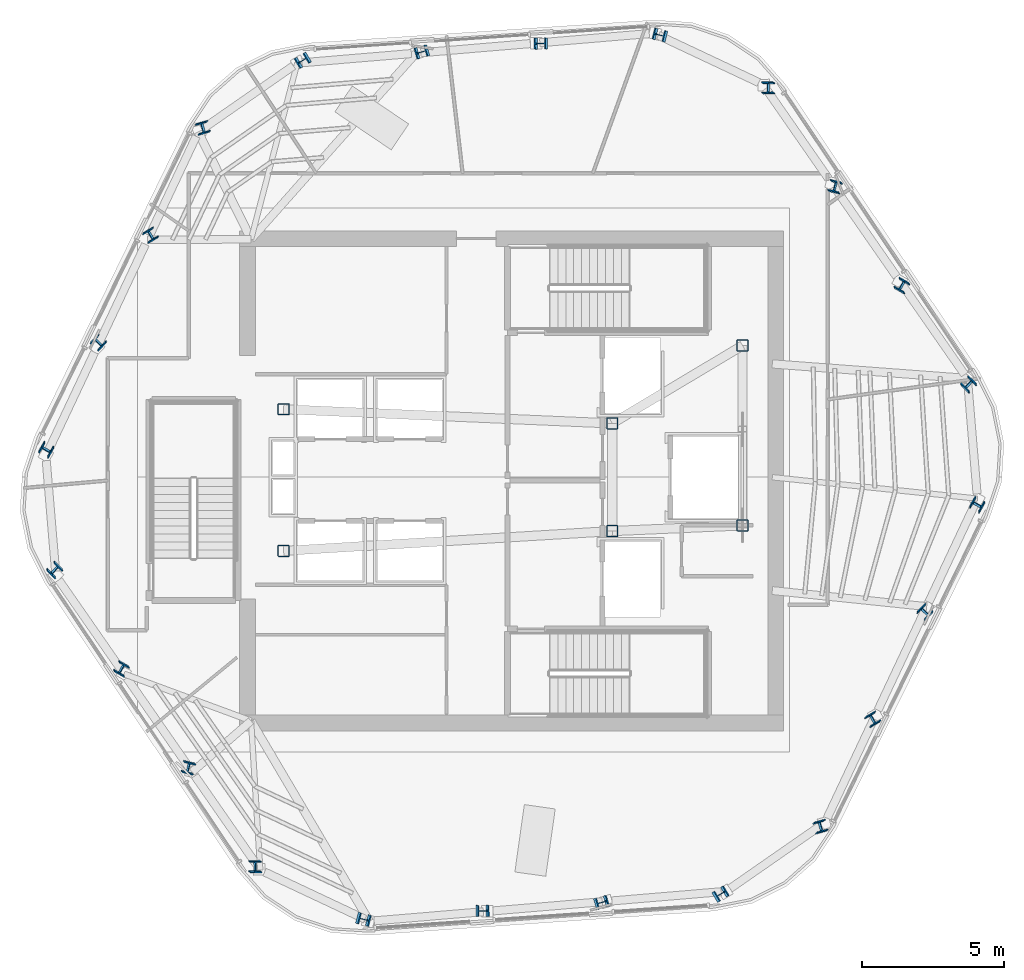
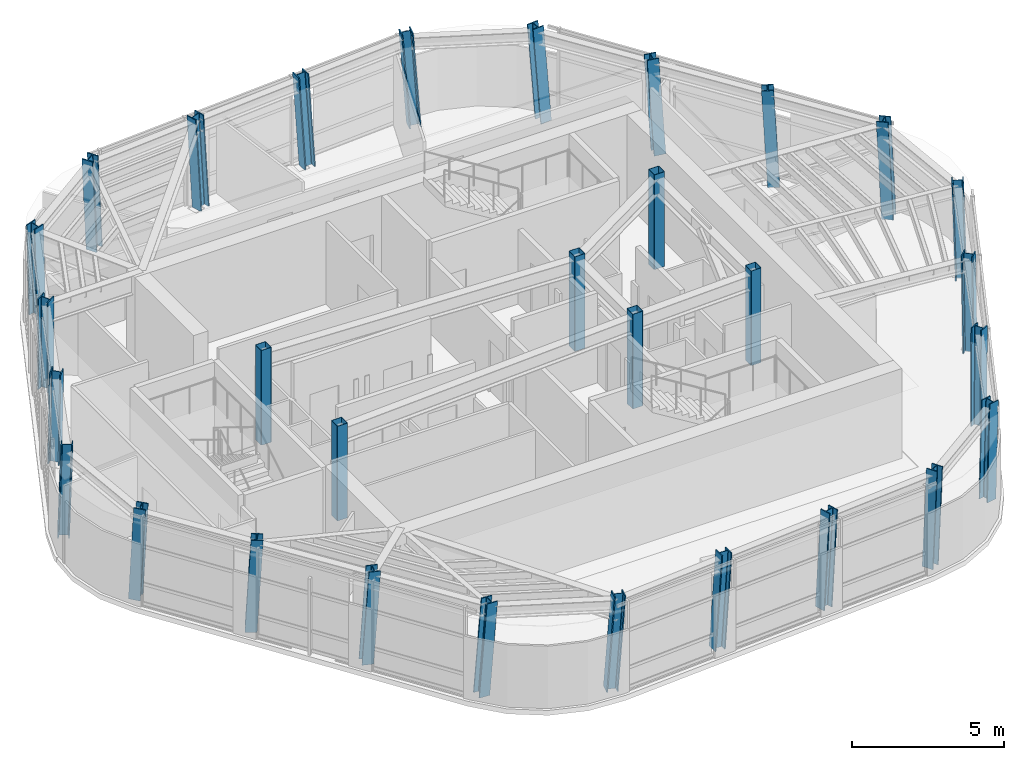
# One storey, part 1 of 14: 30 columns.
"""IFC4 building model written with IfcOpenShell, lengths in metres."""

from ifc_helpers import new_model, si_unit, direction, frame, origin, origin_2d, place, context, subcontext, project, spatial, hollow_rectangle, i_section, extrude, material, material_profile, profile_set, type_object, element, save


model = new_model("IFC4")

# Units and contexts
model_context = context("Model", 3, precision=1e-05, world=origin(), true_north=direction((0.0, 1.0)))
body_context = subcontext(model_context, "Body", "Model", "MODEL_VIEW")
ifc_project = project(units=[si_unit("LENGTHUNIT", "METRE"), si_unit("AREAUNIT", "SQUARE_METRE"), si_unit("VOLUMEUNIT", "CUBIC_METRE"), si_unit("PLANEANGLEUNIT", "RADIAN"), si_unit("MASSUNIT", "GRAM", prefix="KILO")], contexts=[model_context])

# Site, building, storey
site_placement = place(None, origin())
site = spatial("IfcSite", under=ifc_project, at=site_placement, CompositionType="ELEMENT")
building_placement = place(site_placement, origin())
building = spatial("IfcBuilding", under=site, at=building_placement, Name="Valkerne Bourse Tower", CompositionType="ELEMENT")
storey_placement = place(building_placement, frame((0.0, 0.0, 300.199951171875)))
storey = spatial("IfcBuildingStorey", under=building, at=storey_placement, Name="L76", CompositionType="ELEMENT", Elevation=300.199951171875)

# Columns
ifc_material_1 = material(Name="Steel ASTM A500 Grade C", Category="steel")
ifc_material_profile_1 = material_profile(ifc_material_1, hollow_rectangle(XDim=0.39990234375, YDim=0.39990234375, WallThickness=0.01611328125, OuterFilletRadius=0.031982421875, at=origin_2d()), Name="HSS400X400X16")
ifc_profile_set_1 = profile_set([ifc_material_profile_1], Name="Steel ASTM A500 Grade C")
column_type_1 = type_object("IfcColumnType", Name="COL-HSS400X400X16", PredefinedType="COLUMN", material=ifc_profile_set_1)
for number, where, z_axis, x_axis, name in (
    (1, (38.75, 24.39990234375, 0.005126953125), (0.0, 0.0, 1.0), (1.0, 0.0, 0.0), "L76 Core Frame Column CC-SW"),
    (2, (38.75, 29.39990234375, 0.005126953125), (0.0, 0.0, 1.0), (1.0, 0.0, 0.0), "L76 Core Frame Column CC-NW"),
    (3, (50.35009765625, 25.10009765625, 0.005126953125), (0.0, 0.0, 1.0), (1.0, 0.0, 0.0), "L76 Core Frame Column CC-CE1"),
    (4, (50.35009765625, 28.89990234375, 0.005126953125), (0.0, 0.0, 1.0), (1.0, 0.0, 0.0), "L76 Core Frame Column CC-CE2"),
    (5, (54.949951171875, 25.300048828125, 0.005126953125), (0.0, 0.0, 1.0), (1.0, 0.0, 0.0), "L76 Core Frame Column CC-SE"),
    (6, (54.949951171875, 31.64990234375, 0.005126953125), (0.0, 0.0, 1.0), (1.0, 0.0, 0.0), "L76 Core Frame Column CC-NE"),
):
    element("IfcColumn", number, at=place(storey_placement, frame(where, z_axis=z_axis, x_axis=x_axis)), inside=storey, type_object=column_type_1, Name=name, PredefinedType="COLUMN", context=body_context, shape_type="SweptSolid", body=[
        extrude(hollow_rectangle(XDim=0.39990234375, YDim=0.39990234375, WallThickness=0.01611328125, OuterFilletRadius=0.031982421875, at=origin_2d()), origin(), (0.0, 0.0, 1.0), 3.794921875),
    ])
ifc_material_2 = material(Name="Steel ASTM A913 Grade 65", Category="steel")
ifc_material_profile_2 = material_profile(ifc_material_2, i_section(OverallWidth=0.4013671875, OverallDepth=0.398681640625, WebThickness=0.02490234375, FlangeThickness=0.03955078125, FilletRadius=0.025390625, at=origin_2d()), Name="W14X211")
ifc_profile_set_2 = profile_set([ifc_material_profile_2], Name="Steel ASTM A913 Grade 65")
column_type_2 = type_object("IfcColumnType", Name="COL-W14X211", PredefinedType="COLUMN", material=ifc_profile_set_2)
column_1_placement = place(storey_placement, frame((52.069580078125, 42.59326171875, 0.010009765625), z_axis=(-0.064806356258, 0.021322966125, 0.997670019247), x_axis=(0.247361654142, 0.968912111505, -0.004640284422)))
element("IfcColumn", 7, at=column_1_placement, inside=storey, type_object=column_type_2, Name="L76 Helical Perimeter Tube Column F1-C1", PredefinedType="COLUMN", context=body_context, shape_type="SweptSolid", body=[
    extrude(i_section(OverallWidth=0.4013671875, OverallDepth=0.398681640625, WebThickness=0.02490234375, FlangeThickness=0.03955078125, FilletRadius=0.025390625, at=origin_2d()), origin(), (0.0, 0.0, 1.0), 3.789794921875),
])
for number, where, z_axis, x_axis, name in (
    (8, (47.867431640625, 42.306884765625, 0.010009765625), (-0.063537168422, 0.003930798452, 0.99797173159), (-0.006142732162, 0.999971759606, -0.004329761171), "L76 Helical Perimeter Tube Column F1-C2"),
    (9, (43.6650390625, 42.020263671875, 0.010009765625), (-0.062119882591, -0.013467899856, 0.997977823331), (-0.277728393701, 0.960649909565, -0.004323260827), "L76 Helical Perimeter Tube Column F1-C3"),
):
    element("IfcColumn", number, at=place(storey_placement, frame(where, z_axis=z_axis, x_axis=x_axis)), inside=storey, type_object=column_type_2, Name=name, PredefinedType="COLUMN", context=body_context, shape_type="SweptSolid", body=[
        extrude(i_section(OverallWidth=0.4013671875, OverallDepth=0.398681640625, WebThickness=0.02490234375, FlangeThickness=0.03955078125, FilletRadius=0.025390625, at=origin_2d()), origin(), (0.0, 0.0, 1.0), 3.78857421875),
    ])
for number, where, z_axis, x_axis, name in (
    (10, (39.462890625, 41.73388671875, 0.010009765625), (-0.060812334046, -0.030921525786, 0.997670145525), (-0.512683648186, 0.858565050424, -0.004640158823), "L76 Helical Perimeter Tube Column F1-C4"),
    (11, (35.9306640625, 39.3603515625, 0.010009765625), (-0.050891572259, -0.045480316474, 0.997668075407), (-0.961195282548, -0.268973672642, -0.061292676832), "L76 Helical Perimeter Tube Column F2-C1"),
):
    element("IfcColumn", number, at=place(storey_placement, frame(where, z_axis=z_axis, x_axis=x_axis)), inside=storey, type_object=column_type_2, Name=name, PredefinedType="COLUMN", context=body_context, shape_type="SweptSolid", body=[
        extrude(i_section(OverallWidth=0.4013671875, OverallDepth=0.398681640625, WebThickness=0.02490234375, FlangeThickness=0.03955078125, FilletRadius=0.025390625, at=origin_2d()), origin(), (0.0, 0.0, 1.0), 3.789794921875),
    ])
for number, where, z_axis, x_axis, name in (
    (12, (34.07763671875, 35.577880859375, 0.010009765625), (-0.03511954276, -0.053033731544, 0.997974970144), (-0.861624234172, -0.504322120486, -0.057121606043), "L76 Helical Perimeter Tube Column F2-C2"),
    (13, (32.224609375, 31.79541015625, 0.010009765625), (-0.01939622834, -0.060637378299, 0.99797138971), (-0.692067234819, -0.719565355899, -0.057172030579), "L76 Helical Perimeter Tube Column F2-C3"),
):
    element("IfcColumn", number, at=place(storey_placement, frame(where, z_axis=z_axis, x_axis=x_axis)), inside=storey, type_object=column_type_2, Name=name, PredefinedType="COLUMN", context=body_context, shape_type="SweptSolid", body=[
        extrude(i_section(OverallWidth=0.4013671875, OverallDepth=0.398681640625, WebThickness=0.02490234375, FlangeThickness=0.03955078125, FilletRadius=0.025390625, at=origin_2d()), origin(), (0.0, 0.0, 1.0), 3.78857421875),
    ])
for number, where, z_axis, x_axis, name in (
    (14, (30.37158203125, 28.0126953125, 0.010009765625), (-0.003671939096, -0.068091923232, 0.99767229432), (-0.487545280886, -0.870947527532, -0.061237271106), "L76 Helical Perimeter Tube Column F2-C4"),
    (15, (30.660888671875, 23.76708984375, 0.010009765625), (0.013979079706, -0.066803251865, 0.997668236876), (0.715528209423, -0.696283224646, -0.056648500381), "L76 Helical Perimeter Tube Column F3-C1"),
):
    element("IfcColumn", number, at=place(storey_placement, frame(where, z_axis=z_axis, x_axis=x_axis)), inside=storey, type_object=column_type_2, Name=name, PredefinedType="COLUMN", context=body_context, shape_type="SweptSolid", body=[
        extrude(i_section(OverallWidth=0.4013671875, OverallDepth=0.398681640625, WebThickness=0.02490234375, FlangeThickness=0.03955078125, FilletRadius=0.025390625, at=origin_2d()), origin(), (0.0, 0.0, 1.0), 3.789794921875),
    ])
for number, where, z_axis, x_axis, name in (
    (16, (33.01025390625, 20.27099609375, 0.010009765625), (0.028353350995, -0.056964459726, 0.997973515588), (0.868411220218, -0.493023943506, -0.052814237939), "L76 Helical Perimeter Tube Column F3-C2"),
    (17, (35.359619140625, 16.77490234375, 0.010009765625), (0.042723444675, -0.047105336436, 0.997975848683), (0.969618374576, -0.238859942389, -0.052783857444), "L76 Helical Perimeter Tube Column F3-C3"),
):
    element("IfcColumn", number, at=place(storey_placement, frame(where, z_axis=z_axis, x_axis=x_axis)), inside=storey, type_object=column_type_2, Name=name, PredefinedType="COLUMN", context=body_context, shape_type="SweptSolid", body=[
        extrude(i_section(OverallWidth=0.4013671875, OverallDepth=0.398681640625, WebThickness=0.02490234375, FlangeThickness=0.03955078125, FilletRadius=0.025390625, at=origin_2d()), origin(), (0.0, 0.0, 1.0), 3.78857421875),
    ])
for number, where, z_axis, x_axis, name in (
    (18, (37.708740234375, 13.279052734375, 0.010009765625), (0.05714034666, -0.037299053795, 0.997669164287), (0.998290837936, 0.014409203416, -0.056637247012), "L76 Helical Perimeter Tube Column F3-C4"),
    (19, (41.530517578125, 11.40673828125, 0.010009765625), (0.064742206573, -0.0213230551, 0.997674182291), (0.247647571511, 0.968839092168, 0.004636141934), "L76 Helical Perimeter Tube Column F4-C1"),
):
    element("IfcColumn", number, at=place(storey_placement, frame(where, z_axis=z_axis, x_axis=x_axis)), inside=storey, type_object=column_type_2, Name=name, PredefinedType="COLUMN", context=body_context, shape_type="SweptSolid", body=[
        extrude(i_section(OverallWidth=0.4013671875, OverallDepth=0.398681640625, WebThickness=0.02490234375, FlangeThickness=0.03955078125, FilletRadius=0.025390625, at=origin_2d()), origin(), (0.0, 0.0, 1.0), 3.789794921875),
    ])
for number, where, z_axis, x_axis, name in (
    (20, (45.732666015625, 11.693115234375, 0.010009765625), (0.063472988849, -0.003930814538, 0.99797581553), (-0.006080442626, 0.99997215916, 0.004325404384), "L76 Helical Perimeter Tube Column F4-C2"),
    (21, (49.934814453125, 11.979736328125, 0.010009765625), (0.062184073253, 0.013467845917, 0.99797382639), (-0.277521973781, 0.960709543296, 0.004327526968), "L76 Helical Perimeter Tube Column F4-C3"),
):
    element("IfcColumn", number, at=place(storey_placement, frame(where, z_axis=z_axis, x_axis=x_axis)), inside=storey, type_object=column_type_2, Name=name, PredefinedType="COLUMN", context=body_context, shape_type="SweptSolid", body=[
        extrude(i_section(OverallWidth=0.4013671875, OverallDepth=0.398681640625, WebThickness=0.02490234375, FlangeThickness=0.03955078125, FilletRadius=0.025390625, at=origin_2d()), origin(), (0.0, 0.0, 1.0), 3.78857421875),
    ])
for number, where, z_axis, x_axis, name in (
    (22, (54.13720703125, 12.26611328125, 0.010009765625), (0.060812334046, 0.030921525786, 0.997670145525), (-0.512683648186, 0.858565050424, 0.004640158823), "L76 Helical Perimeter Tube Column F4-C4"),
    (23, (57.66943359375, 14.6396484375, 0.010009765625), (0.050891572259, 0.045480316474, 0.997668075407), (-0.961195282548, -0.268973672642, 0.061292676832), "L76 Helical Perimeter Tube Column F5-C1"),
):
    element("IfcColumn", number, at=place(storey_placement, frame(where, z_axis=z_axis, x_axis=x_axis)), inside=storey, type_object=column_type_2, Name=name, PredefinedType="COLUMN", context=body_context, shape_type="SweptSolid", body=[
        extrude(i_section(OverallWidth=0.4013671875, OverallDepth=0.398681640625, WebThickness=0.02490234375, FlangeThickness=0.03955078125, FilletRadius=0.025390625, at=origin_2d()), origin(), (0.0, 0.0, 1.0), 3.789794921875),
    ])
for number, where, z_axis, x_axis, name in (
    (24, (59.5224609375, 18.422119140625, 0.010009765625), (0.03511954276, 0.053033731544, 0.997974970144), (-0.861624234172, -0.504322120486, 0.057121606043), "L76 Helical Perimeter Tube Column F5-C2"),
    (25, (61.37548828125, 22.20458984375, 0.010009765625), (0.01939622834, 0.060637378299, 0.99797138971), (-0.692067234819, -0.719565355899, 0.057172030579), "L76 Helical Perimeter Tube Column F5-C3"),
):
    element("IfcColumn", number, at=place(storey_placement, frame(where, z_axis=z_axis, x_axis=x_axis)), inside=storey, type_object=column_type_2, Name=name, PredefinedType="COLUMN", context=body_context, shape_type="SweptSolid", body=[
        extrude(i_section(OverallWidth=0.4013671875, OverallDepth=0.398681640625, WebThickness=0.02490234375, FlangeThickness=0.03955078125, FilletRadius=0.025390625, at=origin_2d()), origin(), (0.0, 0.0, 1.0), 3.78857421875),
    ])
for number, where, z_axis, x_axis, name in (
    (26, (63.228515625, 25.9873046875, 0.010009765625), (0.003607519957, 0.068091939198, 0.997672528246), (-0.486723442206, -0.871407289307, 0.061234197557), "L76 Helical Perimeter Tube Column F5-C4"),
    (27, (62.93896484375, 30.23291015625, 0.010009765625), (-0.013914672485, 0.066803311885, 0.997669133235), (0.714884659633, -0.696944834967, 0.056637623836), "L76 Helical Perimeter Tube Column F6-C1"),
):
    element("IfcColumn", number, at=place(storey_placement, frame(where, z_axis=z_axis, x_axis=x_axis)), inside=storey, type_object=column_type_2, Name=name, PredefinedType="COLUMN", context=body_context, shape_type="SweptSolid", body=[
        extrude(i_section(OverallWidth=0.4013671875, OverallDepth=0.398681640625, WebThickness=0.02490234375, FlangeThickness=0.03955078125, FilletRadius=0.025390625, at=origin_2d()), origin(), (0.0, 0.0, 1.0), 3.789794921875),
    ])
for number, where, z_axis, x_axis, name in (
    (28, (60.58984375, 33.72900390625, 0.010009765625), (-0.028353350995, 0.056964459726, 0.997973515588), (0.868411220218, -0.493023943506, 0.052814237939), "L76 Helical Perimeter Tube Column F6-C2"),
    (29, (58.240478515625, 37.22509765625, 0.010009765625), (-0.042723444675, 0.047105336436, 0.997975848683), (0.969618374576, -0.238859942389, 0.052783857444), "L76 Helical Perimeter Tube Column F6-C3"),
):
    element("IfcColumn", number, at=place(storey_placement, frame(where, z_axis=z_axis, x_axis=x_axis)), inside=storey, type_object=column_type_2, Name=name, PredefinedType="COLUMN", context=body_context, shape_type="SweptSolid", body=[
        extrude(i_section(OverallWidth=0.4013671875, OverallDepth=0.398681640625, WebThickness=0.02490234375, FlangeThickness=0.03955078125, FilletRadius=0.025390625, at=origin_2d()), origin(), (0.0, 0.0, 1.0), 3.78857421875),
    ])
column_2_placement = place(storey_placement, frame((55.891357421875, 40.720947265625, 0.010009765625), z_axis=(-0.05714034666, 0.037299053795, 0.997669164287), x_axis=(0.998290837936, 0.014409203416, 0.056637247012)))
element("IfcColumn", 30, at=column_2_placement, inside=storey, type_object=column_type_2, Name="L76 Helical Perimeter Tube Column F6-C4", PredefinedType="COLUMN", context=body_context, shape_type="SweptSolid", body=[
    extrude(i_section(OverallWidth=0.4013671875, OverallDepth=0.398681640625, WebThickness=0.02490234375, FlangeThickness=0.03955078125, FilletRadius=0.025390625, at=origin_2d()), origin(), (0.0, 0.0, 1.0), 3.789794921875),
])

save(model, "model.ifc")
